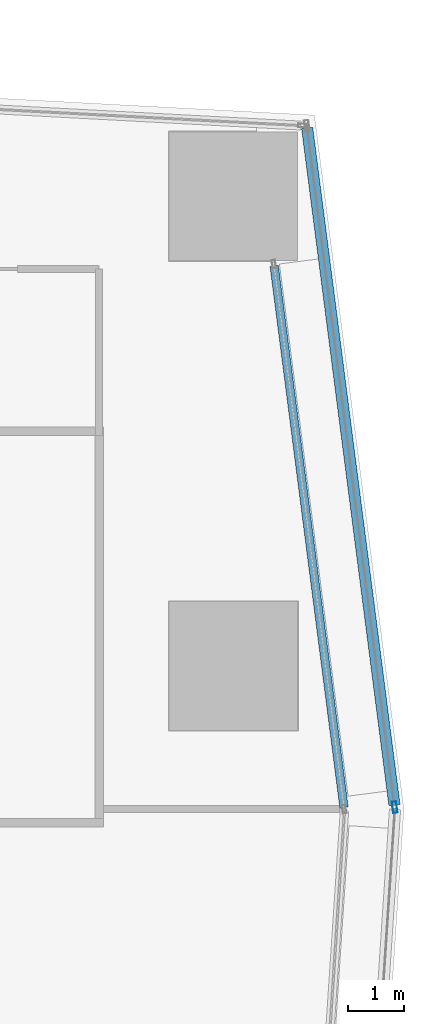
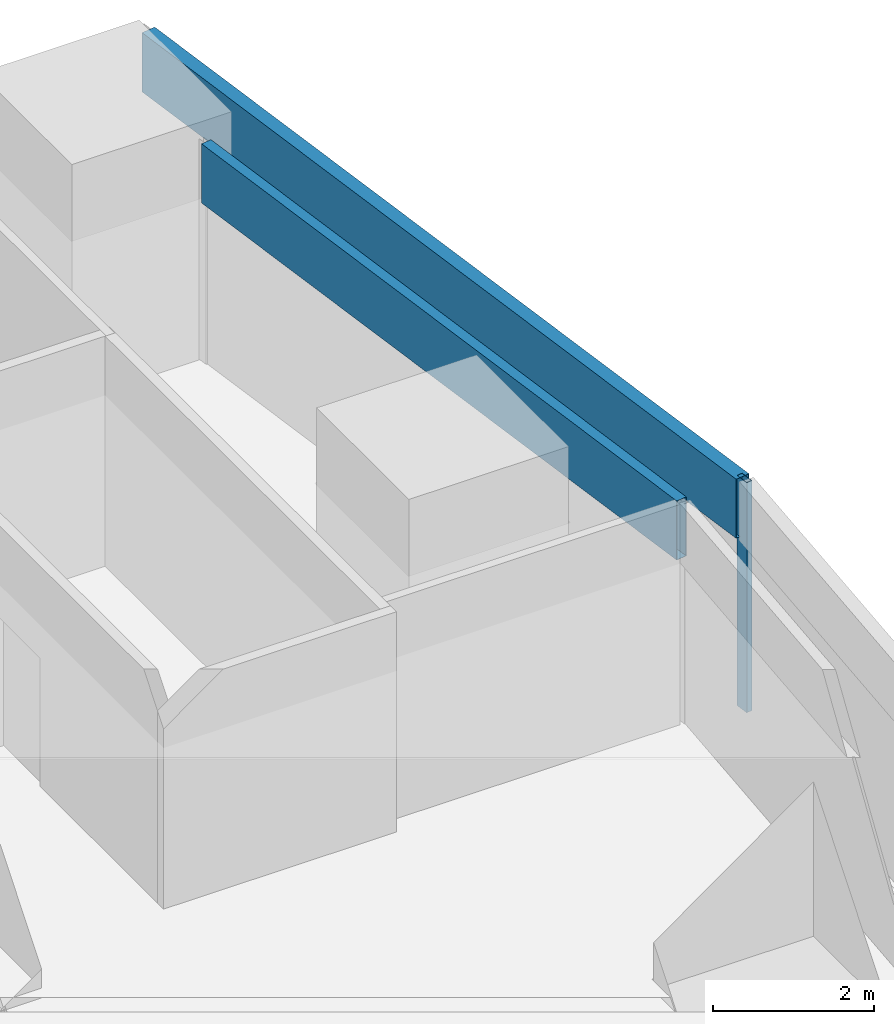
# One storey, part 13 of 32: 3 members, 2 elements without a shape of their own.
"""IFC4 building model written with IfcOpenShell, lengths in metres."""

import ifcopenshell
import ifcopenshell.guid

model = None  # the IFC model being written
_history = None  # IfcOwnerHistory: only IFC2X3 demands one
_inside = {}  # id of a spatial element -> (the spatial element, [elements in it])
_under = {}  # id of a project, library or spatial element -> (it, [spatial elements below it])
_declared = {}  # id of a project -> (the project, [libraries it declares])
_typed = {}  # id of a type object -> (the type object, [elements of that type])
_made_of = {}  # id of a material, layer set ... -> (it, [elements and type objects made of it])


def new_model(schema):
    """Start an empty IFC model of exactly this schema.

    Asked for "IFC4X3", IfcOpenShell would pick the latest addendum, in which some entities
    have other attributes; the version numbers below select the first issue.
    IFC2X3 requires an IfcOwnerHistory on every rooted entity: one is made here for all.
    """
    global model, _history
    if schema == "IFC4X3":
        model = ifcopenshell.file(schema_version=(4, 3, 0, 0))
    else:
        model = ifcopenshell.file(schema=schema)
    _inside.clear()
    _under.clear()
    _declared.clear()
    _typed.clear()
    _made_of.clear()
    _history = None
    if model.schema == "IFC2X3":
        org = make("IfcOrganization", Name="unknown")
        user = make(
            "IfcPersonAndOrganization",
            ThePerson=make("IfcPerson", FamilyName="unknown"),
            TheOrganization=org,
        )
        app = make(
            "IfcApplication",
            ApplicationDeveloper=org,
            Version="unknown",
            ApplicationFullName="unknown",
            ApplicationIdentifier="unknown",
        )
        _history = make(
            "IfcOwnerHistory",
            OwningUser=user,
            OwningApplication=app,
            ChangeAction="ADDED",
            CreationDate=0,
        )
    return model


def make(cls, **values):
    """One entity of the class cls with the attributes given. An attribute that is None is left unset."""
    return model.create_entity(
        cls, **{name: value for name, value in values.items() if value is not None}
    )


def rooted(cls, **values):
    """An entity with a GlobalId (a new one), such as an element, a storey or a relation."""
    return make(cls, GlobalId=ifcopenshell.guid.new(), OwnerHistory=_history, **values)


def si_unit(unit_type, name, prefix=None):
    """IfcSIUnit, for example si_unit("LENGTHUNIT", "METRE", prefix="MILLI")."""
    return make("IfcSIUnit", UnitType=unit_type, Prefix=prefix, Name=name)


def assignment(units):
    """IfcUnitAssignment: the units of a project."""
    return None if units is None else make("IfcUnitAssignment", Units=units)


def point(xyz):
    """IfcCartesianPoint."""
    return None if xyz is None else make("IfcCartesianPoint", Coordinates=xyz)


def direction(xyz):
    """IfcDirection."""
    return None if xyz is None else make("IfcDirection", DirectionRatios=xyz)


def frame(location, z_axis=None, x_axis=None):
    """IfcAxis2Placement3D, a coordinate frame: its origin and axes. An axis left out is left unset."""
    return make(
        "IfcAxis2Placement3D",
        Location=point(location),
        Axis=direction(z_axis),
        RefDirection=direction(x_axis),
    )


def frame_2d(location, x_axis=None):
    """IfcAxis2Placement2D, a coordinate frame in the plane: its origin and x axis."""
    return make(
        "IfcAxis2Placement2D", Location=point(location), RefDirection=direction(x_axis)
    )


def origin():
    """The frame at (0, 0, 0) with its axes left unset."""
    return frame((0.0, 0.0, 0.0))


def origin_2d():
    """The frame at (0, 0) in the plane with its x axis left unset."""
    return frame_2d((0.0, 0.0))


def place(relative_to, where):
    """IfcLocalPlacement: puts the frame where relative to a parent placement (None: the world)."""
    return make(
        "IfcLocalPlacement", PlacementRelTo=relative_to, RelativePlacement=where
    )


def context(
    kind, dimensions, precision=None, world=None, true_north=None, identifier=None
):
    """IfcGeometricRepresentationContext, for example the 3D "Model" context."""
    return make(
        "IfcGeometricRepresentationContext",
        ContextIdentifier=identifier,
        ContextType=kind,
        CoordinateSpaceDimension=dimensions,
        Precision=precision,
        WorldCoordinateSystem=world,
        TrueNorth=true_north,
    )


def subcontext(parent, identifier, kind, view, scale=None):
    """IfcGeometricRepresentationSubContext, for example "Body" below "Model"."""
    return make(
        "IfcGeometricRepresentationSubContext",
        ContextIdentifier=identifier,
        ContextType=kind,
        ParentContext=parent,
        TargetScale=scale,
        TargetView=view,
    )


def project(units=None, contexts=None):
    """IfcProject with its units and contexts."""
    return rooted(
        "IfcProject",
        Name="project",
        RepresentationContexts=contexts,
        UnitsInContext=assignment(units),
    )


def spatial(cls, under=None, at=None, **own):
    """A site, building, storey or space (cls), placed at a placement, below another one or the project."""
    s = rooted(cls, ObjectPlacement=at, **own)
    if under is not None:
        _under.setdefault(under.id(), (under, []))[1].append(s)
    return s


def profile(cls, at=None, kind="AREA", **sizes):
    """A parametric profile (cls). Its sizes go by their IFC names, for example OverallWidth=200.0."""
    return make(cls, ProfileType=kind, Position=at, **sizes)


def hollow_rectangle(**sizes):
    """IfcRectangleHollowProfileDef."""
    return profile("IfcRectangleHollowProfileDef", **sizes)


def extrude(swept, where, along, depth):
    """IfcExtrudedAreaSolid: the profile swept, set in the frame where, extruded along a direction by depth."""
    return make(
        "IfcExtrudedAreaSolid",
        SweptArea=swept,
        Position=where,
        ExtrudedDirection=direction(along),
        Depth=depth,
    )


def shape(context_of_items, identifier, shape_type, items):
    """IfcShapeRepresentation: the items that make up one representation, for example the "Body"."""
    return make(
        "IfcShapeRepresentation",
        ContextOfItems=context_of_items,
        RepresentationIdentifier=identifier,
        RepresentationType=shape_type,
        Items=items,
    )


def material(Name=None, Category=None):
    """IfcMaterial."""
    return make("IfcMaterial", Name=Name, Category=Category)


def material_profile(
    of_material, cross_section, Name=None, Category=None, Priority=None
):
    """IfcMaterialProfile: a cross section and its material."""
    return make(
        "IfcMaterialProfile",
        Name=Name,
        Material=of_material,
        Profile=cross_section,
        Priority=Priority,
        Category=Category,
    )


def profile_set(profiles, Name=None, composite=None):
    """IfcMaterialProfileSet."""
    return make(
        "IfcMaterialProfileSet",
        Name=Name,
        MaterialProfiles=profiles,
        CompositeProfile=composite,
    )


def made_of(thing, what):
    """Note that an element or type object is made of a material, layer set ...; save() writes the relation."""
    if what is not None:
        _made_of.setdefault(what.id(), (what, []))[1].append(thing)
    return thing


def type_object(cls, material=None, **own):
    """A type object (cls), such as IfcWallType, which elements share."""
    return made_of(rooted(cls, **own), material)


def element(
    cls,
    number,
    at=None,
    inside=None,
    cuts=None,
    type_object=None,
    material=None,
    context=None,
    identifier="Body",
    shape_type=None,
    held_by="IfcProductDefinitionShape",
    body=None,
    shapes=None,
    **own,
):
    """One element of the class cls, such as IfcWall. Its Tag is "e" and its number.

    at: its placement. inside: the storey or other place that contains it. cuts: it is an
    opening in that element (IfcRelVoidsElement). A single representation is given by context,
    identifier, shape_type and body (its items); several are given by shapes. held_by: the class
    of the entity that holds the representations. save() writes the other relations.
    """
    e = rooted(cls, Tag="e%d" % number, ObjectPlacement=at, **own)
    if body is not None:
        shapes = [shape(context, identifier, shape_type, body)]
    if shapes is not None:
        e.Representation = make(held_by, Representations=shapes)
    if inside is not None:
        _inside.setdefault(inside.id(), (inside, []))[1].append(e)
    if cuts is not None:
        rooted(
            "IfcRelVoidsElement", RelatingBuildingElement=cuts, RelatedOpeningElement=e
        )
    if type_object is not None:
        _typed.setdefault(type_object.id(), (type_object, []))[1].append(e)
    return made_of(e, material)


def aggregate(whole, parts):
    """IfcRelAggregates: a whole, such as a stair, and the parts it consists of."""
    return rooted("IfcRelAggregates", RelatingObject=whole, RelatedObjects=parts)


def save(model, path):
    """Write the relations noted so far, then the file.

    IfcRelAggregates (storeys below a building ...), IfcRelContainedInSpatialStructure (elements
    in a storey), IfcRelDefinesByType, IfcRelAssociatesMaterial and IfcRelDeclares: one each for
    every whole, place, type object, material and project.
    """
    for whole, parts in _under.values():
        aggregate(whole, parts)
    for where, things in _inside.values():
        rooted(
            "IfcRelContainedInSpatialStructure",
            RelatedElements=things,
            RelatingStructure=where,
        )
    for kind, things in _typed.values():
        rooted("IfcRelDefinesByType", RelatedObjects=things, RelatingType=kind)
    for what, things in _made_of.values():
        rooted("IfcRelAssociatesMaterial", RelatedObjects=things, RelatingMaterial=what)
    for by, libraries in _declared.values():
        rooted("IfcRelDeclares", RelatingContext=by, RelatedDefinitions=libraries)
    model.write(path)


model = new_model("IFC4")

# Units and contexts
model_context = context("Model", 3, precision=1e-05, world=origin(), true_north=direction((0.0, 1.0)))
body_context = subcontext(model_context, "Body", "Model", "MODEL_VIEW")
ifc_project = project(units=[si_unit("LENGTHUNIT", "METRE"), si_unit("AREAUNIT", "SQUARE_METRE"), si_unit("VOLUMEUNIT", "CUBIC_METRE"), si_unit("PLANEANGLEUNIT", "RADIAN"), si_unit("MASSUNIT", "GRAM", prefix="KILO")], contexts=[model_context])

# Site, building, storey
site_placement = place(None, origin())
site = spatial("IfcSite", under=ifc_project, at=site_placement, CompositionType="ELEMENT")
building_placement = place(site_placement, origin())
building = spatial("IfcBuilding", under=site, at=building_placement, Name="Rekha Terrace Tower", CompositionType="ELEMENT")
storey_placement = place(building_placement, frame((0.0, 0.0, 250.10009765625)))
storey = spatial("IfcBuildingStorey", under=building, at=storey_placement, Name="L63", CompositionType="ELEMENT", Elevation=250.10009765625)

# Curtain wall, member
ifc_material_1 = material(Name="Aluminium framing", Category="aluminium")
curtain_wall_type_1 = type_object("IfcCurtainWallType", Name="CW1 double skin inner glazing", PredefinedType="USERDEFINED", material=ifc_material_1)
curtain_wall_1_placement = place(storey_placement, origin())
curtain_wall_1 = element("IfcCurtainWall", 1, at=curtain_wall_1_placement, inside=storey, type_object=curtain_wall_type_1, Name="CW1 double skin inner glazing", ObjectType="DOUBLE SKIN INNER GLAZING", PredefinedType="USERDEFINED")
ifc_material_2 = material(Name="Insulated aluminium spandrel box", Category="aluminium")
ifc_material_profile_1 = material_profile(ifc_material_2, hollow_rectangle(XDim=0.14990234375, YDim=0.89990234375, WallThickness=0.0029296875, at=origin_2d()), Name="AL SPANDREL BOX 150x900")
ifc_profile_set_1 = profile_set([ifc_material_profile_1], Name="Insulated aluminium spandrel box")
member_type_1 = type_object("IfcMemberType", Name="CW1 spandrel transom 150 x 900", PredefinedType="USERDEFINED", material=ifc_profile_set_1)
member_1_placement = place(storey_placement, frame((60.777099609375, 39.471435546875, 3.0498046875), z_axis=(-0.12786897319, 0.991791069578, 0.0), x_axis=(-0.991791069578, -0.12786897319, 0.0)))
member_1 = element("IfcMember", 2, at=member_1_placement, type_object=member_type_1, Name="CW1 spandrel transom 1", ObjectType="TRANSOM", PredefinedType="USERDEFINED", context=body_context, shape_type="SweptSolid", body=[
    extrude(hollow_rectangle(XDim=0.14990234375, YDim=0.89990234375, WallThickness=0.0029296875, at=origin_2d()), origin(), (0.0, 0.0, 1.0), 9.76220703125),
])
aggregate(curtain_wall_1, [member_1])

# Curtain wall, members
curtain_wall_type_2 = type_object("IfcCurtainWallType", Name="CW2 double skin outer glazing", PredefinedType="USERDEFINED", material=ifc_material_1)
curtain_wall_2_placement = place(storey_placement, origin())
curtain_wall_2 = element("IfcCurtainWall", 3, at=curtain_wall_2_placement, inside=storey, type_object=curtain_wall_type_2, Name="CW2 double skin outer glazing", ObjectType="DOUBLE SKIN OUTER GLAZING", PredefinedType="USERDEFINED")
ifc_material_3 = material(Name="Aluminium mullion section", Category="aluminium")
ifc_material_profile_2 = material_profile(ifc_material_3, hollow_rectangle(XDim=0.080078125, YDim=0.199951171875, WallThickness=0.00390625, at=origin_2d()), Name="AL RHS 80x200")
ifc_profile_set_2 = profile_set([ifc_material_profile_2], Name="Aluminium mullion section")
member_type_2 = type_object("IfcMemberType", Name="CW2 mullion RHS 80 x 200", PredefinedType="MULLION", material=ifc_profile_set_2)
member_2_placement = place(storey_placement, frame((61.68408203125, 39.474609375, 0.0), z_axis=(0.0, 0.0, 1.0), x_axis=(-0.991790949459, -0.12786990487, 0.0)))
member_2 = element("IfcMember", 4, at=member_2_placement, type_object=member_type_2, Name="CW2 mullion 1", PredefinedType="MULLION", context=body_context, shape_type="SweptSolid", body=[
    extrude(hollow_rectangle(XDim=0.080078125, YDim=0.199951171875, WallThickness=0.00390625, at=origin_2d()), origin(), (0.0, 0.0, 1.0), 3.5),
])
ifc_material_profile_3 = material_profile(ifc_material_2, hollow_rectangle(XDim=0.199951171875, YDim=0.89990234375, WallThickness=0.0029296875, at=origin_2d()), Name="AL SPANDREL BOX 200x900")
ifc_profile_set_3 = profile_set([ifc_material_profile_3], Name="Insulated aluminium spandrel box")
member_type_3 = type_object("IfcMemberType", Name="CW2 spandrel transom 200 x 900", PredefinedType="USERDEFINED", material=ifc_profile_set_3)
member_3_placement = place(storey_placement, frame((61.67919921875, 39.514404296875, 3.0498046875), z_axis=(-0.127874852181, 0.991790311598, 0.0), x_axis=(-0.991790311598, -0.127874852181, 0.0)))
member_3 = element("IfcMember", 5, at=member_3_placement, type_object=member_type_3, Name="CW2 spandrel transom 1", ObjectType="TRANSOM", PredefinedType="USERDEFINED", context=body_context, shape_type="SweptSolid", body=[
    extrude(hollow_rectangle(XDim=0.199951171875, YDim=0.89990234375, WallThickness=0.0029296875, at=origin_2d()), origin(), (0.0, 0.0, 1.0), 12.20361328125),
])
aggregate(curtain_wall_2, [member_2, member_3])

save(model, "model.ifc")
